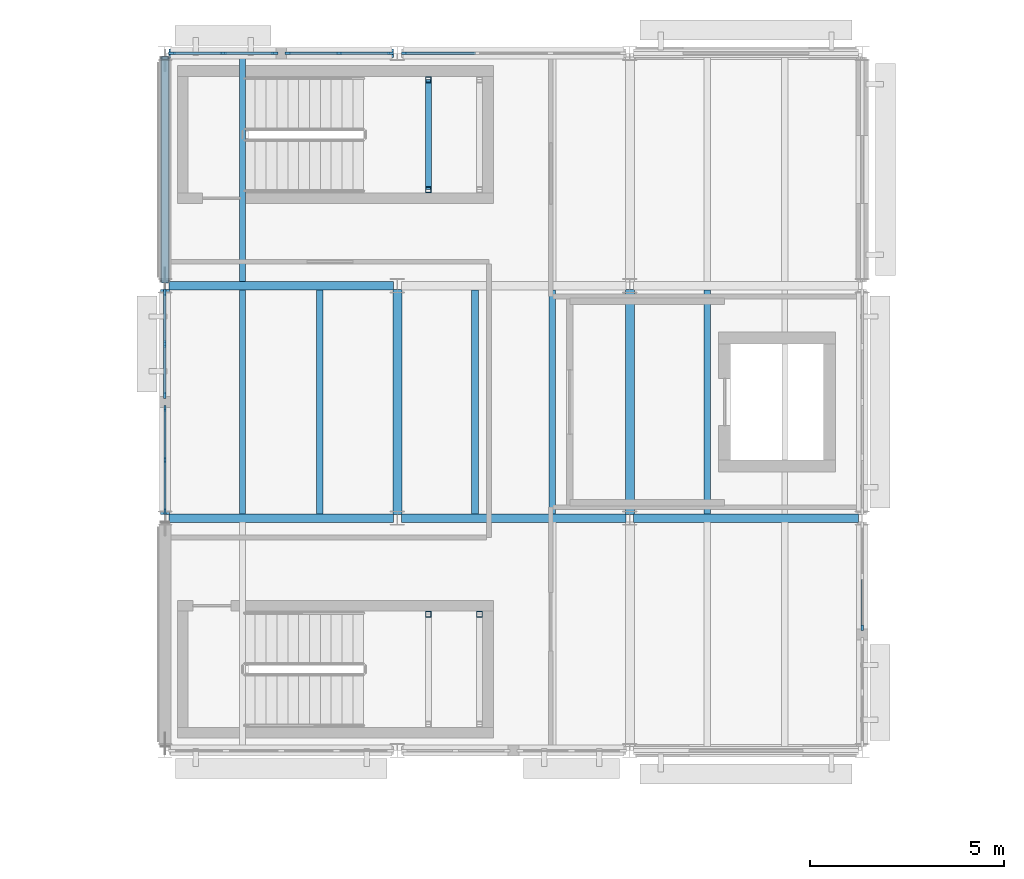
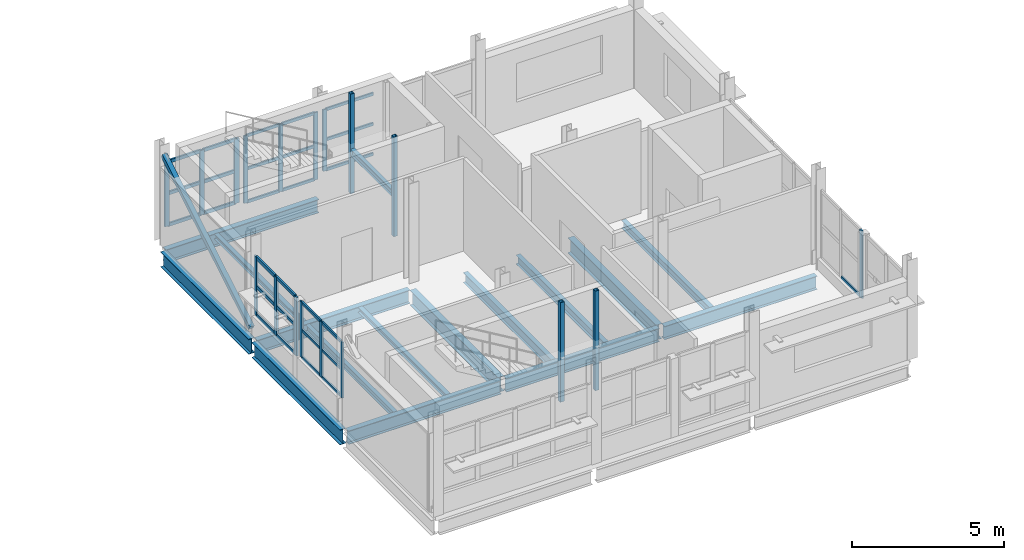
# One storey, part 31 of 92: 47 members, 16 beams, 6 elements without a shape of their own.
"""IFC4 building model written with IfcOpenShell, lengths in metres."""

from ifc_helpers import new_model, si_unit, direction, frame, origin, origin_2d, place, context, subcontext, project, spatial, rectangle, hollow_rectangle, i_section, extrude, material, material_profile, profile_set, type_object, element, aggregate, save


model = new_model("IFC4")

# Units and contexts
model_context = context("Model", 3, precision=1e-05, world=origin(), true_north=direction((0.0, 1.0)))
body_context = subcontext(model_context, "Body", "Model", "MODEL_VIEW")
ifc_project = project(units=[si_unit("LENGTHUNIT", "METRE"), si_unit("AREAUNIT", "SQUARE_METRE"), si_unit("VOLUMEUNIT", "CUBIC_METRE"), si_unit("PLANEANGLEUNIT", "RADIAN"), si_unit("MASSUNIT", "GRAM", prefix="KILO")], contexts=[model_context])

# Site, building, storey
site_placement = place(None, origin())
site = spatial("IfcSite", under=ifc_project, at=site_placement, CompositionType="ELEMENT")
building_placement = place(site_placement, origin())
building = spatial("IfcBuilding", under=site, at=building_placement, Name="Siltcreek Boulevard Central Fire Station", CompositionType="ELEMENT")
storey_placement = place(building_placement, frame((0.0, 0.0, 6.0)))
storey = spatial("IfcBuildingStorey", under=building, at=storey_placement, Name="L02", CompositionType="ELEMENT", Elevation=6.0)

# Beams
ifc_material_1 = material(Name="Structural steel ASTM A992 Gr50", Category="steel")
ifc_material_profile_1 = material_profile(ifc_material_1, i_section(OverallWidth=0.2109375, OverallDepth=0.5390625, WebThickness=0.01171875, FlangeThickness=0.018798828125, at=origin_2d()), Name="W530X109")
ifc_profile_set_1 = profile_set([ifc_material_profile_1], Name="Structural steel ASTM A992 Gr50")
beam_type_1 = type_object("IfcBeamType", Name="BM_W530X109", PredefinedType="BEAM", material=ifc_profile_set_1)
for number, where, z_axis, x_axis, name in (
    (1, (42.10009765625, 100.199951171875, -0.589599609375), (1.0, 0.0, 0.0), (0.0, 1.0, 0.0), "L02 primary steel girder GX-0119"),
    (2, (48.10009765625, 100.199951171875, -0.589599609375), (1.0, 0.0, 0.0), (0.0, 1.0, 0.0), "L02 primary steel girder GX-0120"),
    (3, (54.10009765625, 100.199951171875, -0.589599609375), (1.0, 0.0, 0.0), (0.0, 1.0, 0.0), "L02 primary steel girder GX-0121"),
    (4, (42.10009765625, 106.199951171875, -0.589599609375), (1.0, 0.0, 0.0), (0.0, 1.0, 0.0), "L02 primary steel girder GX-0122"),
    (5, (42.10009765625, 112.199951171875, -0.589599609375), (1.0, 0.0, 0.0), (0.0, 1.0, 0.0), "L02 primary steel girder GX-0125"),
):
    element("IfcBeam", number, at=place(storey_placement, frame(where, z_axis=z_axis, x_axis=x_axis)), inside=storey, type_object=beam_type_1, Name=name, PredefinedType="BEAM", context=body_context, shape_type="SweptSolid", body=[
        extrude(i_section(OverallWidth=0.2109375, OverallDepth=0.5390625, WebThickness=0.01171875, FlangeThickness=0.018798828125, at=origin_2d()), origin(), (0.0, 0.0, 1.0), 5.7998046875),
    ])
ifc_material_profile_2 = material_profile(ifc_material_1, i_section(OverallWidth=0.22802734375, OverallDepth=0.60791015625, WebThickness=0.01123046875, FlangeThickness=0.017333984375, at=origin_2d()), Name="W610X113")
ifc_profile_set_2 = profile_set([ifc_material_profile_2], Name="Structural steel ASTM A992 Gr50")
beam_type_2 = type_object("IfcBeamType", Name="BM_W610X113", PredefinedType="BEAM", material=ifc_profile_set_2)
for number, where, z_axis, x_axis, name in (
    (6, (42.0, 100.300048828125, -0.6240234375), (0.0, 1.0, 0.0), (-1.0, 0.0, 0.0), "L02 primary steel girder GY-0129"),
    (7, (42.0, 106.300048828125, -0.6240234375), (0.0, 1.0, 0.0), (-1.0, 0.0, 0.0), "L02 primary steel girder GY-0130"),
    (8, (48.0, 100.300048828125, -0.6240234375), (0.0, 1.0, 0.0), (-1.0, 0.0, 0.0), "L02 primary steel girder GY-0131"),
    (9, (54.0, 100.300048828125, -0.6240234375), (0.0, 1.0, 0.0), (-1.0, 0.0, 0.0), "L02 primary steel girder GY-0133"),
):
    element("IfcBeam", number, at=place(storey_placement, frame(where, z_axis=z_axis, x_axis=x_axis)), inside=storey, type_object=beam_type_2, Name=name, PredefinedType="BEAM", context=body_context, shape_type="SweptSolid", body=[
        extrude(i_section(OverallWidth=0.22802734375, OverallDepth=0.60791015625, WebThickness=0.01123046875, FlangeThickness=0.017333984375, at=origin_2d()), origin(), (0.0, 0.0, 1.0), 5.800048828125),
    ])

# Members
ifc_material_2 = material(Name="Structural steel ASTM A500 GrC", Category="steel")
ifc_material_profile_3 = material_profile(ifc_material_2, hollow_rectangle(XDim=0.14990234375, YDim=0.14990234375, WallThickness=0.008056640625, at=origin_2d()), Name="HSS150X150X8.0")
ifc_profile_set_3 = profile_set([ifc_material_profile_3], Name="Structural steel ASTM A500 GrC")
member_type_1 = type_object("IfcMemberType", Name="BR_HSS150_8", PredefinedType="BRACE", material=ifc_profile_set_3)
for number, where, z_axis, x_axis, name in (
    (10, (48.800048828125, 97.719970703125, 0.0), (0.0, 0.0, 1.0), (1.0, 0.0, 0.0), "L02 ST-V3A stair landing corner post NW"),
    (11, (50.1201171875, 97.719970703125, 0.0), (0.0, 0.0, 1.0), (1.0, 0.0, 0.0), "L02 ST-V3A stair landing corner post NE"),
    (12, (48.800048828125, 108.679931640625, 0.0), (0.0, 0.0, 1.0), (1.0, 0.0, 0.0), "L02 ST-V3B stair landing corner post SW"),
    (13, (48.800048828125, 111.52001953125, 0.0), (0.0, 0.0, 1.0), (1.0, 0.0, 0.0), "L02 ST-V3B stair landing corner post NW"),
):
    element("IfcMember", number, at=place(storey_placement, frame(where, z_axis=z_axis, x_axis=x_axis)), inside=storey, type_object=member_type_1, Name=name, PredefinedType="BRACE", context=body_context, shape_type="SweptSolid", body=[
        extrude(hollow_rectangle(XDim=0.14990234375, YDim=0.14990234375, WallThickness=0.008056640625, at=origin_2d()), origin(), (0.0, 0.0, 1.0), 4.0),
    ])
ifc_material_profile_4 = material_profile(ifc_material_2, hollow_rectangle(XDim=0.179931640625, YDim=0.179931640625, WallThickness=0.008056640625, at=origin_2d()), Name="HSS180X180X8.0")
ifc_profile_set_4 = profile_set([ifc_material_profile_4], Name="Structural steel ASTM A500 GrC")
member_type_2 = type_object("IfcMemberType", Name="BR_HSS180", PredefinedType="BRACE", material=ifc_profile_set_4)
member_1_placement = place(storey_placement, frame((42.0, 106.320068359375, 0.10009765625), z_axis=(0.0, 0.857890513261, 0.513832528415), x_axis=(-1.0, 0.0, 0.0)))
element("IfcMember", 14, at=member_1_placement, inside=storey, type_object=member_type_2, Name="L02 SCBF concentrically braced frame BR-020", PredefinedType="BRACE", context=body_context, shape_type="SweptSolid", body=[
    extrude(hollow_rectangle(XDim=0.179931640625, YDim=0.179931640625, WallThickness=0.008056640625, at=origin_2d()), origin(), (0.0, 0.0, 1.0), 6.714111328125),
])

# Curtain wall, members
ifc_material_3 = material(Name="Anodized aluminum and low-E insulated glazing", Category="aluminium")
curtain_wall_type_1 = type_object("IfcCurtainWallType", Name="CW_SYS_08", PredefinedType="USERDEFINED", material=ifc_material_3)
curtain_wall_1_placement = place(storey_placement, origin())
curtain_wall_1 = element("IfcCurtainWall", 15, at=curtain_wall_1_placement, inside=storey, type_object=curtain_wall_type_1, Name="L02 V3 unitised curtain wall CW-037", ObjectType="CURTAIN WALL", PredefinedType="USERDEFINED")
ifc_material_4 = material(Name="Anodized 6063-T6 aluminum framing", Category="aluminium")
ifc_material_profile_5 = material_profile(ifc_material_4, rectangle(XDim=0.06005859375, YDim=0.14990234375, at=origin_2d()), Name="MULL60X150")
ifc_profile_set_5 = profile_set([ifc_material_profile_5], Name="Anodized 6063-T6 aluminum framing")
member_type_3 = type_object("IfcMemberType", Name="CWM_60X150", PredefinedType="MULLION", material=ifc_profile_set_5)
member_2_placement = place(storey_placement, frame((47.824951171875, 112.199951171875, 0.43994140625), z_axis=(0.0, 0.0, 1.0), x_axis=(0.0, -1.0, 0.0)))
member_2 = element("IfcMember", 16, at=member_2_placement, type_object=member_type_3, Name="CW-037 mullion 1", PredefinedType="MULLION", context=body_context, shape_type="SweptSolid", body=[
    extrude(rectangle(XDim=0.06005859375, YDim=0.14990234375, at=origin_2d()), origin(), (0.0, 0.0, 1.0), 2.713134765625),
])
member_3_placement = place(storey_placement, frame((46.49755859375, 112.199951171875, 0.43994140625), z_axis=(0.0, 0.0, 1.0), x_axis=(0.0, -1.0, 0.0)))
member_3 = element("IfcMember", 17, at=member_3_placement, type_object=member_type_3, Name="CW-037 mullion 2", PredefinedType="MULLION", context=body_context, shape_type="SweptSolid", body=[
    extrude(rectangle(XDim=0.06005859375, YDim=0.14990234375, at=origin_2d()), origin(), (0.0, 0.0, 1.0), 2.713134765625),
])
member_4_placement = place(storey_placement, frame((45.169921875, 112.199951171875, 0.43994140625), z_axis=(0.0, 0.0, 1.0), x_axis=(0.0, -1.0, 0.0)))
member_4 = element("IfcMember", 18, at=member_4_placement, type_object=member_type_3, Name="CW-037 mullion 3", PredefinedType="MULLION", context=body_context, shape_type="SweptSolid", body=[
    extrude(rectangle(XDim=0.06005859375, YDim=0.14990234375, at=origin_2d()), origin(), (0.0, 0.0, 1.0), 2.713134765625),
])

# Curtain wall, member
curtain_wall_type_2 = type_object("IfcCurtainWallType", Name="CW_SYS_10", PredefinedType="USERDEFINED", material=ifc_material_3)
curtain_wall_2_placement = place(storey_placement, origin())
curtain_wall_2 = element("IfcCurtainWall", 19, at=curtain_wall_2_placement, inside=storey, type_object=curtain_wall_type_2, Name="L02 V3 unitised curtain wall CW-039", ObjectType="CURTAIN WALL", PredefinedType="USERDEFINED")
member_5_placement = place(storey_placement, frame((48.175048828125, 112.199951171875, 0.679931640625), z_axis=(0.0, 0.0, 1.0), x_axis=(0.0, -1.0, 0.0)))
member_5 = element("IfcMember", 20, at=member_5_placement, type_object=member_type_3, Name="CW-039 mullion 4", PredefinedType="MULLION", context=body_context, shape_type="SweptSolid", body=[
    extrude(rectangle(XDim=0.06005859375, YDim=0.14990234375, at=origin_2d()), origin(), (0.0, 0.0, 1.0), 2.47314453125),
])

# Curtain wall, members
curtain_wall_type_3 = type_object("IfcCurtainWallType", Name="CW_SYS_12", PredefinedType="USERDEFINED", material=ifc_material_3)
curtain_wall_3_placement = place(storey_placement, origin())
curtain_wall_3 = element("IfcCurtainWall", 21, at=curtain_wall_3_placement, inside=storey, type_object=curtain_wall_type_3, Name="L02 V3 unitised curtain wall CW-041", ObjectType="CURTAIN WALL", PredefinedType="USERDEFINED")
member_6_placement = place(storey_placement, frame((42.0, 103.030029296875, 0.919921875), z_axis=(0.0, 0.0, 1.0), x_axis=(1.0, 0.0, 0.0)))
member_6 = element("IfcMember", 22, at=member_6_placement, type_object=member_type_3, Name="CW-041 mullion 1", PredefinedType="MULLION", context=body_context, shape_type="SweptSolid", body=[
    extrude(rectangle(XDim=0.06005859375, YDim=0.14990234375, at=origin_2d()), origin(), (0.0, 0.0, 1.0), 2.237060546875),
])
member_7_placement = place(storey_placement, frame((42.0, 101.702392578125, 0.919921875), z_axis=(0.0, 0.0, 1.0), x_axis=(1.0, 0.0, 0.0)))
member_7 = element("IfcMember", 23, at=member_7_placement, type_object=member_type_3, Name="CW-041 mullion 2", PredefinedType="MULLION", context=body_context, shape_type="SweptSolid", body=[
    extrude(rectangle(XDim=0.06005859375, YDim=0.14990234375, at=origin_2d()), origin(), (0.0, 0.0, 1.0), 2.237060546875),
])
member_8_placement = place(storey_placement, frame((42.0, 100.375, 0.919921875), z_axis=(0.0, 0.0, 1.0), x_axis=(1.0, 0.0, 0.0)))
member_8 = element("IfcMember", 24, at=member_8_placement, type_object=member_type_3, Name="CW-041 mullion 3", PredefinedType="MULLION", context=body_context, shape_type="SweptSolid", body=[
    extrude(rectangle(XDim=0.06005859375, YDim=0.14990234375, at=origin_2d()), origin(), (0.0, 0.0, 1.0), 2.237060546875),
])

# Curtain wall, member
curtain_wall_type_4 = type_object("IfcCurtainWallType", Name="CW_SYS_14", PredefinedType="USERDEFINED", material=ifc_material_3)
curtain_wall_4_placement = place(storey_placement, origin())
curtain_wall_4 = element("IfcCurtainWall", 25, at=curtain_wall_4_placement, inside=storey, type_object=curtain_wall_type_4, Name="L02 V3 unitised curtain wall CW-043", ObjectType="CURTAIN WALL", PredefinedType="USERDEFINED")
member_9_placement = place(storey_placement, frame((60.0, 97.3701171875, 0.43994140625), z_axis=(0.0, 0.0, 1.0), x_axis=(-1.0, 0.0, 0.0)))
member_9 = element("IfcMember", 26, at=member_9_placement, type_object=member_type_3, Name="CW-043 mullion 1", PredefinedType="MULLION", context=body_context, shape_type="SweptSolid", body=[
    extrude(rectangle(XDim=0.06005859375, YDim=0.14990234375, at=origin_2d()), origin(), (0.0, 0.0, 1.0), 2.717041015625),
])

# Curtain wall, members
curtain_wall_type_5 = type_object("IfcCurtainWallType", Name="CW_SYS_09", PredefinedType="USERDEFINED", material=ifc_material_3)
curtain_wall_5_placement = place(storey_placement, origin())
curtain_wall_5 = element("IfcCurtainWall", 27, at=curtain_wall_5_placement, inside=storey, type_object=curtain_wall_type_5, Name="L02 V3 unitised curtain wall CW-038", ObjectType="CURTAIN WALL", PredefinedType="USERDEFINED")
ifc_material_profile_6 = material_profile(ifc_material_4, rectangle(XDim=0.06494140625, YDim=0.175048828125, at=origin_2d()), Name="MULL65X175")
ifc_profile_set_6 = profile_set([ifc_material_profile_6], Name="Anodized 6063-T6 aluminum framing")
member_type_4 = type_object("IfcMemberType", Name="CWM_65X175", PredefinedType="MULLION", material=ifc_profile_set_6)
member_10_placement = place(storey_placement, frame((44.827392578125, 112.199951171875, 0.56005859375), z_axis=(0.0, 0.0, 1.0), x_axis=(0.0, -1.0, 0.0)))
member_10 = element("IfcMember", 28, at=member_10_placement, type_object=member_type_4, Name="CW-038 mullion 1", PredefinedType="MULLION", context=body_context, shape_type="SweptSolid", body=[
    extrude(rectangle(XDim=0.06494140625, YDim=0.175048828125, at=origin_2d()), origin(), (0.0, 0.0, 1.0), 2.593017578125),
])
member_11_placement = place(storey_placement, frame((43.50244140625, 112.199951171875, 0.56005859375), z_axis=(0.0, 0.0, 1.0), x_axis=(0.0, -1.0, 0.0)))
member_11 = element("IfcMember", 29, at=member_11_placement, type_object=member_type_4, Name="CW-038 mullion 2", PredefinedType="MULLION", context=body_context, shape_type="SweptSolid", body=[
    extrude(rectangle(XDim=0.06494140625, YDim=0.175048828125, at=origin_2d()), origin(), (0.0, 0.0, 1.0), 2.593017578125),
])
member_12_placement = place(storey_placement, frame((42.177490234375, 112.199951171875, 0.56005859375), z_axis=(0.0, 0.0, 1.0), x_axis=(0.0, -1.0, 0.0)))
member_12 = element("IfcMember", 30, at=member_12_placement, type_object=member_type_4, Name="CW-038 mullion 3", PredefinedType="MULLION", context=body_context, shape_type="SweptSolid", body=[
    extrude(rectangle(XDim=0.06494140625, YDim=0.175048828125, at=origin_2d()), origin(), (0.0, 0.0, 1.0), 2.593017578125),
])

curtain_wall_type_6 = type_object("IfcCurtainWallType", Name="CW_SYS_11", PredefinedType="USERDEFINED", material=ifc_material_3)
curtain_wall_6_placement = place(storey_placement, origin())
curtain_wall_6 = element("IfcCurtainWall", 31, at=curtain_wall_6_placement, inside=storey, type_object=curtain_wall_type_6, Name="L02 V3 unitised curtain wall CW-040", ObjectType="CURTAIN WALL", PredefinedType="USERDEFINED")
member_13_placement = place(storey_placement, frame((42.0, 106.0224609375, 0.800048828125), z_axis=(0.0, 0.0, 1.0), x_axis=(1.0, 0.0, 0.0)))
member_13 = element("IfcMember", 32, at=member_13_placement, type_object=member_type_4, Name="CW-040 mullion 1", PredefinedType="MULLION", context=body_context, shape_type="SweptSolid", body=[
    extrude(rectangle(XDim=0.06494140625, YDim=0.175048828125, at=origin_2d()), origin(), (0.0, 0.0, 1.0), 2.35693359375),
])
member_14_placement = place(storey_placement, frame((42.0, 104.697509765625, 0.800048828125), z_axis=(0.0, 0.0, 1.0), x_axis=(1.0, 0.0, 0.0)))
member_14 = element("IfcMember", 33, at=member_14_placement, type_object=member_type_4, Name="CW-040 mullion 2", PredefinedType="MULLION", context=body_context, shape_type="SweptSolid", body=[
    extrude(rectangle(XDim=0.06494140625, YDim=0.175048828125, at=origin_2d()), origin(), (0.0, 0.0, 1.0), 2.35693359375),
])
member_15_placement = place(storey_placement, frame((42.0, 103.37255859375, 0.800048828125), z_axis=(0.0, 0.0, 1.0), x_axis=(1.0, 0.0, 0.0)))
member_15 = element("IfcMember", 34, at=member_15_placement, type_object=member_type_4, Name="CW-040 mullion 3", PredefinedType="MULLION", context=body_context, shape_type="SweptSolid", body=[
    extrude(rectangle(XDim=0.06494140625, YDim=0.175048828125, at=origin_2d()), origin(), (0.0, 0.0, 1.0), 2.35693359375),
])

# Member
ifc_material_profile_7 = material_profile(ifc_material_4, rectangle(XDim=0.06005859375, YDim=0.114990234375, at=origin_2d()), Name="TRAN60X115")
ifc_profile_set_7 = profile_set([ifc_material_profile_7], Name="Anodized 6063-T6 aluminum framing")
member_type_5 = type_object("IfcMemberType", Name="CWT_60X115", PredefinedType="USERDEFINED", material=ifc_profile_set_7)
member_16_placement = place(storey_placement, frame((47.794921875, 112.199951171875, 0.469970703125), z_axis=(-1.0, 0.0, 0.0), x_axis=(0.0, -1.0, 0.0)))
member_16 = element("IfcMember", 35, at=member_16_placement, type_object=member_type_5, Name="CW-037 transom 1.1", ObjectType="TRANSOM", PredefinedType="USERDEFINED", context=body_context, shape_type="SweptSolid", body=[
    extrude(rectangle(XDim=0.06005859375, YDim=0.114990234375, at=origin_2d()), origin(), (0.0, 0.0, 1.0), 1.267333984375),
])

member_17_placement = place(storey_placement, frame((47.794921875, 112.199951171875, 1.79638671875), z_axis=(-1.0, 0.0, 0.0), x_axis=(0.0, -1.0, 0.0)))
member_17 = element("IfcMember", 36, at=member_17_placement, type_object=member_type_5, Name="CW-037 transom 1.2", ObjectType="TRANSOM", PredefinedType="USERDEFINED", context=body_context, shape_type="SweptSolid", body=[
    extrude(rectangle(XDim=0.06005859375, YDim=0.114990234375, at=origin_2d()), origin(), (0.0, 0.0, 1.0), 1.267333984375),
])

member_18_placement = place(storey_placement, frame((47.794921875, 112.199951171875, 3.123046875), z_axis=(-1.0, 0.0, 0.0), x_axis=(0.0, -1.0, 0.0)))
member_18 = element("IfcMember", 37, at=member_18_placement, type_object=member_type_5, Name="CW-037 transom 1.3", ObjectType="TRANSOM", PredefinedType="USERDEFINED", context=body_context, shape_type="SweptSolid", body=[
    extrude(rectangle(XDim=0.06005859375, YDim=0.114990234375, at=origin_2d()), origin(), (0.0, 0.0, 1.0), 1.267333984375),
])

member_19_placement = place(storey_placement, frame((46.467529296875, 112.199951171875, 0.469970703125), z_axis=(-1.0, 0.0, 0.0), x_axis=(0.0, -1.0, 0.0)))
member_19 = element("IfcMember", 38, at=member_19_placement, type_object=member_type_5, Name="CW-037 transom 2.1", ObjectType="TRANSOM", PredefinedType="USERDEFINED", context=body_context, shape_type="SweptSolid", body=[
    extrude(rectangle(XDim=0.06005859375, YDim=0.114990234375, at=origin_2d()), origin(), (0.0, 0.0, 1.0), 1.267578125),
])

member_20_placement = place(storey_placement, frame((46.467529296875, 112.199951171875, 1.79638671875), z_axis=(-1.0, 0.0, 0.0), x_axis=(0.0, -1.0, 0.0)))
member_20 = element("IfcMember", 39, at=member_20_placement, type_object=member_type_5, Name="CW-037 transom 2.2", ObjectType="TRANSOM", PredefinedType="USERDEFINED", context=body_context, shape_type="SweptSolid", body=[
    extrude(rectangle(XDim=0.06005859375, YDim=0.114990234375, at=origin_2d()), origin(), (0.0, 0.0, 1.0), 1.267578125),
])

member_21_placement = place(storey_placement, frame((46.467529296875, 112.199951171875, 3.123046875), z_axis=(-1.0, 0.0, 0.0), x_axis=(0.0, -1.0, 0.0)))
member_21 = element("IfcMember", 40, at=member_21_placement, type_object=member_type_5, Name="CW-037 transom 2.3", ObjectType="TRANSOM", PredefinedType="USERDEFINED", context=body_context, shape_type="SweptSolid", body=[
    extrude(rectangle(XDim=0.06005859375, YDim=0.114990234375, at=origin_2d()), origin(), (0.0, 0.0, 1.0), 1.267578125),
])

aggregate(curtain_wall_1, [member_2, member_3, member_4, member_16, member_17, member_18, member_19, member_20, member_21])

member_22_placement = place(storey_placement, frame((50.018310546875, 112.199951171875, 0.7099609375), z_axis=(-1.0, 0.0, 0.0), x_axis=(0.0, -1.0, 0.0)))
member_22 = element("IfcMember", 41, at=member_22_placement, type_object=member_type_5, Name="CW-039 transom 3.1", ObjectType="TRANSOM", PredefinedType="USERDEFINED", context=body_context, shape_type="SweptSolid", body=[
    extrude(rectangle(XDim=0.06005859375, YDim=0.114990234375, at=origin_2d()), origin(), (0.0, 0.0, 1.0), 1.813232421875),
])

member_23_placement = place(storey_placement, frame((50.018310546875, 112.199951171875, 1.91650390625), z_axis=(-1.0, 0.0, 0.0), x_axis=(0.0, -1.0, 0.0)))
member_23 = element("IfcMember", 42, at=member_23_placement, type_object=member_type_5, Name="CW-039 transom 3.2", ObjectType="TRANSOM", PredefinedType="USERDEFINED", context=body_context, shape_type="SweptSolid", body=[
    extrude(rectangle(XDim=0.06005859375, YDim=0.114990234375, at=origin_2d()), origin(), (0.0, 0.0, 1.0), 1.813232421875),
])

member_24_placement = place(storey_placement, frame((50.018310546875, 112.199951171875, 3.123046875), z_axis=(-1.0, 0.0, 0.0), x_axis=(0.0, -1.0, 0.0)))
member_24 = element("IfcMember", 43, at=member_24_placement, type_object=member_type_5, Name="CW-039 transom 3.3", ObjectType="TRANSOM", PredefinedType="USERDEFINED", context=body_context, shape_type="SweptSolid", body=[
    extrude(rectangle(XDim=0.06005859375, YDim=0.114990234375, at=origin_2d()), origin(), (0.0, 0.0, 1.0), 1.813232421875),
])

aggregate(curtain_wall_2, [member_5, member_22, member_23, member_24])

member_25_placement = place(storey_placement, frame((42.0, 103.0, 0.949951171875), z_axis=(0.0, -1.0, 0.0), x_axis=(1.0, 0.0, 0.0)))
member_25 = element("IfcMember", 44, at=member_25_placement, type_object=member_type_5, Name="CW-041 transom 1.1", ObjectType="TRANSOM", PredefinedType="USERDEFINED", context=body_context, shape_type="SweptSolid", body=[
    extrude(rectangle(XDim=0.06005859375, YDim=0.114990234375, at=origin_2d()), origin(), (0.0, 0.0, 1.0), 1.267578125),
])

member_26_placement = place(storey_placement, frame((42.0, 103.0, 2.03857421875), z_axis=(0.0, -1.0, 0.0), x_axis=(1.0, 0.0, 0.0)))
member_26 = element("IfcMember", 45, at=member_26_placement, type_object=member_type_5, Name="CW-041 transom 1.2", ObjectType="TRANSOM", PredefinedType="USERDEFINED", context=body_context, shape_type="SweptSolid", body=[
    extrude(rectangle(XDim=0.06005859375, YDim=0.114990234375, at=origin_2d()), origin(), (0.0, 0.0, 1.0), 1.267578125),
])

member_27_placement = place(storey_placement, frame((42.0, 103.0, 3.126953125), z_axis=(0.0, -1.0, 0.0), x_axis=(1.0, 0.0, 0.0)))
member_27 = element("IfcMember", 46, at=member_27_placement, type_object=member_type_5, Name="CW-041 transom 1.3", ObjectType="TRANSOM", PredefinedType="USERDEFINED", context=body_context, shape_type="SweptSolid", body=[
    extrude(rectangle(XDim=0.06005859375, YDim=0.114990234375, at=origin_2d()), origin(), (0.0, 0.0, 1.0), 1.267578125),
])

member_28_placement = place(storey_placement, frame((42.0, 101.672607421875, 0.949951171875), z_axis=(0.0, -1.0, 0.0), x_axis=(1.0, 0.0, 0.0)))
member_28 = element("IfcMember", 47, at=member_28_placement, type_object=member_type_5, Name="CW-041 transom 2.1", ObjectType="TRANSOM", PredefinedType="USERDEFINED", context=body_context, shape_type="SweptSolid", body=[
    extrude(rectangle(XDim=0.06005859375, YDim=0.114990234375, at=origin_2d()), origin(), (0.0, 0.0, 1.0), 1.267578125),
])

member_29_placement = place(storey_placement, frame((42.0, 101.672607421875, 2.03857421875), z_axis=(0.0, -1.0, 0.0), x_axis=(1.0, 0.0, 0.0)))
member_29 = element("IfcMember", 48, at=member_29_placement, type_object=member_type_5, Name="CW-041 transom 2.2", ObjectType="TRANSOM", PredefinedType="USERDEFINED", context=body_context, shape_type="SweptSolid", body=[
    extrude(rectangle(XDim=0.06005859375, YDim=0.114990234375, at=origin_2d()), origin(), (0.0, 0.0, 1.0), 1.267578125),
])

member_30_placement = place(storey_placement, frame((42.0, 101.672607421875, 3.126953125), z_axis=(0.0, -1.0, 0.0), x_axis=(1.0, 0.0, 0.0)))
member_30 = element("IfcMember", 49, at=member_30_placement, type_object=member_type_5, Name="CW-041 transom 2.3", ObjectType="TRANSOM", PredefinedType="USERDEFINED", context=body_context, shape_type="SweptSolid", body=[
    extrude(rectangle(XDim=0.06005859375, YDim=0.114990234375, at=origin_2d()), origin(), (0.0, 0.0, 1.0), 1.267578125),
])

aggregate(curtain_wall_3, [member_6, member_7, member_8, member_25, member_26, member_27, member_28, member_29, member_30])

member_31_placement = place(storey_placement, frame((60.0, 97.39990234375, 0.469970703125), z_axis=(0.0, 1.0, 0.0), x_axis=(-1.0, 0.0, 0.0)))
member_31 = element("IfcMember", 50, at=member_31_placement, type_object=member_type_5, Name="CW-043 transom 1.1", ObjectType="TRANSOM", PredefinedType="USERDEFINED", context=body_context, shape_type="SweptSolid", body=[
    extrude(rectangle(XDim=0.06005859375, YDim=0.114990234375, at=origin_2d()), origin(), (0.0, 0.0, 1.0), 1.267578125),
])

aggregate(curtain_wall_4, [member_9, member_31])

ifc_material_profile_8 = material_profile(ifc_material_4, rectangle(XDim=0.06494140625, YDim=0.135009765625, at=origin_2d()), Name="TRAN65X135")
ifc_profile_set_8 = profile_set([ifc_material_profile_8], Name="Anodized 6063-T6 aluminum framing")
member_type_6 = type_object("IfcMemberType", Name="CWT_65X135", PredefinedType="USERDEFINED", material=ifc_profile_set_8)
member_32_placement = place(storey_placement, frame((44.794921875, 112.199951171875, 0.592529296875), z_axis=(-1.0, 0.0, 0.0), x_axis=(0.0, -1.0, 0.0)))
member_32 = element("IfcMember", 51, at=member_32_placement, type_object=member_type_6, Name="CW-038 transom 1.1", ObjectType="TRANSOM", PredefinedType="USERDEFINED", context=body_context, shape_type="SweptSolid", body=[
    extrude(rectangle(XDim=0.06494140625, YDim=0.135009765625, at=origin_2d()), origin(), (0.0, 0.0, 1.0), 1.260009765625),
])

member_33_placement = place(storey_placement, frame((44.794921875, 112.199951171875, 1.8564453125), z_axis=(-1.0, 0.0, 0.0), x_axis=(0.0, -1.0, 0.0)))
member_33 = element("IfcMember", 52, at=member_33_placement, type_object=member_type_6, Name="CW-038 transom 1.2", ObjectType="TRANSOM", PredefinedType="USERDEFINED", context=body_context, shape_type="SweptSolid", body=[
    extrude(rectangle(XDim=0.06494140625, YDim=0.135009765625, at=origin_2d()), origin(), (0.0, 0.0, 1.0), 1.260009765625),
])

member_34_placement = place(storey_placement, frame((44.794921875, 112.199951171875, 3.12060546875), z_axis=(-1.0, 0.0, 0.0), x_axis=(0.0, -1.0, 0.0)))
member_34 = element("IfcMember", 53, at=member_34_placement, type_object=member_type_6, Name="CW-038 transom 1.3", ObjectType="TRANSOM", PredefinedType="USERDEFINED", context=body_context, shape_type="SweptSolid", body=[
    extrude(rectangle(XDim=0.06494140625, YDim=0.135009765625, at=origin_2d()), origin(), (0.0, 0.0, 1.0), 1.260009765625),
])

member_35_placement = place(storey_placement, frame((43.469970703125, 112.199951171875, 0.592529296875), z_axis=(-1.0, 0.0, 0.0), x_axis=(0.0, -1.0, 0.0)))
member_35 = element("IfcMember", 54, at=member_35_placement, type_object=member_type_6, Name="CW-038 transom 2.1", ObjectType="TRANSOM", PredefinedType="USERDEFINED", context=body_context, shape_type="SweptSolid", body=[
    extrude(rectangle(XDim=0.06494140625, YDim=0.135009765625, at=origin_2d()), origin(), (0.0, 0.0, 1.0), 1.260009765625),
])

member_36_placement = place(storey_placement, frame((43.469970703125, 112.199951171875, 1.8564453125), z_axis=(-1.0, 0.0, 0.0), x_axis=(0.0, -1.0, 0.0)))
member_36 = element("IfcMember", 55, at=member_36_placement, type_object=member_type_6, Name="CW-038 transom 2.2", ObjectType="TRANSOM", PredefinedType="USERDEFINED", context=body_context, shape_type="SweptSolid", body=[
    extrude(rectangle(XDim=0.06494140625, YDim=0.135009765625, at=origin_2d()), origin(), (0.0, 0.0, 1.0), 1.260009765625),
])

member_37_placement = place(storey_placement, frame((43.469970703125, 112.199951171875, 3.12060546875), z_axis=(-1.0, 0.0, 0.0), x_axis=(0.0, -1.0, 0.0)))
member_37 = element("IfcMember", 56, at=member_37_placement, type_object=member_type_6, Name="CW-038 transom 2.3", ObjectType="TRANSOM", PredefinedType="USERDEFINED", context=body_context, shape_type="SweptSolid", body=[
    extrude(rectangle(XDim=0.06494140625, YDim=0.135009765625, at=origin_2d()), origin(), (0.0, 0.0, 1.0), 1.260009765625),
])

aggregate(curtain_wall_5, [member_10, member_11, member_12, member_32, member_33, member_34, member_35, member_36, member_37])

member_38_placement = place(storey_placement, frame((42.0, 105.989990234375, 0.83251953125), z_axis=(0.0, -1.0, 0.0), x_axis=(1.0, 0.0, 0.0)))
member_38 = element("IfcMember", 57, at=member_38_placement, type_object=member_type_6, Name="CW-040 transom 1.1", ObjectType="TRANSOM", PredefinedType="USERDEFINED", context=body_context, shape_type="SweptSolid", body=[
    extrude(rectangle(XDim=0.06494140625, YDim=0.135009765625, at=origin_2d()), origin(), (0.0, 0.0, 1.0), 1.260009765625),
])

member_39_placement = place(storey_placement, frame((42.0, 105.989990234375, 1.978515625), z_axis=(0.0, -1.0, 0.0), x_axis=(1.0, 0.0, 0.0)))
member_39 = element("IfcMember", 58, at=member_39_placement, type_object=member_type_6, Name="CW-040 transom 1.2", ObjectType="TRANSOM", PredefinedType="USERDEFINED", context=body_context, shape_type="SweptSolid", body=[
    extrude(rectangle(XDim=0.06494140625, YDim=0.135009765625, at=origin_2d()), origin(), (0.0, 0.0, 1.0), 1.260009765625),
])

member_40_placement = place(storey_placement, frame((42.0, 105.989990234375, 3.12451171875), z_axis=(0.0, -1.0, 0.0), x_axis=(1.0, 0.0, 0.0)))
member_40 = element("IfcMember", 59, at=member_40_placement, type_object=member_type_6, Name="CW-040 transom 1.3", ObjectType="TRANSOM", PredefinedType="USERDEFINED", context=body_context, shape_type="SweptSolid", body=[
    extrude(rectangle(XDim=0.06494140625, YDim=0.135009765625, at=origin_2d()), origin(), (0.0, 0.0, 1.0), 1.260009765625),
])

member_41_placement = place(storey_placement, frame((42.0, 104.6650390625, 0.83251953125), z_axis=(0.0, -1.0, 0.0), x_axis=(1.0, 0.0, 0.0)))
member_41 = element("IfcMember", 60, at=member_41_placement, type_object=member_type_6, Name="CW-040 transom 2.1", ObjectType="TRANSOM", PredefinedType="USERDEFINED", context=body_context, shape_type="SweptSolid", body=[
    extrude(rectangle(XDim=0.06494140625, YDim=0.135009765625, at=origin_2d()), origin(), (0.0, 0.0, 1.0), 1.260009765625),
])

member_42_placement = place(storey_placement, frame((42.0, 104.6650390625, 1.978515625), z_axis=(0.0, -1.0, 0.0), x_axis=(1.0, 0.0, 0.0)))
member_42 = element("IfcMember", 61, at=member_42_placement, type_object=member_type_6, Name="CW-040 transom 2.2", ObjectType="TRANSOM", PredefinedType="USERDEFINED", context=body_context, shape_type="SweptSolid", body=[
    extrude(rectangle(XDim=0.06494140625, YDim=0.135009765625, at=origin_2d()), origin(), (0.0, 0.0, 1.0), 1.260009765625),
])

member_43_placement = place(storey_placement, frame((42.0, 104.6650390625, 3.12451171875), z_axis=(0.0, -1.0, 0.0), x_axis=(1.0, 0.0, 0.0)))
member_43 = element("IfcMember", 62, at=member_43_placement, type_object=member_type_6, Name="CW-040 transom 2.3", ObjectType="TRANSOM", PredefinedType="USERDEFINED", context=body_context, shape_type="SweptSolid", body=[
    extrude(rectangle(XDim=0.06494140625, YDim=0.135009765625, at=origin_2d()), origin(), (0.0, 0.0, 1.0), 1.260009765625),
])

aggregate(curtain_wall_6, [member_13, member_14, member_15, member_38, member_39, member_40, member_41, member_42, member_43])

# Beams
ifc_material_profile_9 = material_profile(ifc_material_1, i_section(OverallWidth=0.1650390625, OverallDepth=0.200927734375, WebThickness=0.006103515625, FlangeThickness=0.01025390625, at=origin_2d()), Name="W200X36")
ifc_profile_set_9 = profile_set([ifc_material_profile_9], Name="Structural steel ASTM A992 Gr50")
beam_type_3 = type_object("IfcBeamType", Name="JST_W200X36", PredefinedType="JOIST", material=ifc_profile_set_9)
for number, where, z_axis, x_axis, name in (
    (63, (46.0, 100.303466796875, -0.42041015625), (0.0, 1.0, 0.0), (-1.0, 0.0, 0.0), "L02 secondary steel floor joist 0112"),
    (64, (44.0, 106.303466796875, -0.42041015625), (0.0, 1.0, 0.0), (-1.0, 0.0, 0.0), "L02 secondary steel floor joist 0117"),
):
    element("IfcBeam", number, at=place(storey_placement, frame(where, z_axis=z_axis, x_axis=x_axis)), inside=storey, type_object=beam_type_3, Name=name, PredefinedType="JOIST", context=body_context, shape_type="SweptSolid", body=[
        extrude(i_section(OverallWidth=0.1650390625, OverallDepth=0.200927734375, WebThickness=0.006103515625, FlangeThickness=0.01025390625, at=origin_2d()), origin(), (0.0, 0.0, 1.0), 5.79296875),
    ])
ifc_material_profile_10 = material_profile(ifc_material_1, i_section(OverallWidth=0.14697265625, OverallDepth=0.261962890625, WebThickness=0.006591796875, FlangeThickness=0.01123046875, at=origin_2d()), Name="W250X39")
ifc_profile_set_10 = profile_set([ifc_material_profile_10], Name="Structural steel ASTM A992 Gr50")
beam_type_4 = type_object("IfcBeamType", Name="JST_W250X39", PredefinedType="JOIST", material=ifc_profile_set_10)
beam_1_placement = place(storey_placement, frame((44.0, 100.303466796875, -0.450927734375), z_axis=(0.0, 1.0, 0.0), x_axis=(-1.0, 0.0, 0.0)))
element("IfcBeam", 65, at=beam_1_placement, inside=storey, type_object=beam_type_4, Name="L02 secondary steel floor joist 0111", PredefinedType="JOIST", context=body_context, shape_type="SweptSolid", body=[
    extrude(i_section(OverallWidth=0.14697265625, OverallDepth=0.261962890625, WebThickness=0.006591796875, FlangeThickness=0.01123046875, at=origin_2d()), origin(), (0.0, 0.0, 1.0), 5.79296875),
])
beam_2_placement = place(storey_placement, frame((48.800048828125, 108.679931640625, 1.6689453125), z_axis=(0.0, 1.0, 0.0), x_axis=(-1.0, 0.0, 0.0)))
element("IfcBeam", 66, at=beam_2_placement, inside=storey, type_object=beam_type_4, Name="L02 ST-V3B stair landing bearer MIDW", PredefinedType="JOIST", context=body_context, shape_type="SweptSolid", body=[
    extrude(i_section(OverallWidth=0.14697265625, OverallDepth=0.261962890625, WebThickness=0.006591796875, FlangeThickness=0.01123046875, at=origin_2d()), origin(), (0.0, 0.0, 1.0), 2.840087890625),
])
ifc_material_profile_11 = material_profile(ifc_material_1, i_section(OverallWidth=0.166015625, OverallDepth=0.31298828125, WebThickness=0.006591796875, FlangeThickness=0.01123046875, at=origin_2d()), Name="W310X45")
ifc_profile_set_11 = profile_set([ifc_material_profile_11], Name="Structural steel ASTM A992 Gr50")
beam_type_5 = type_object("IfcBeamType", Name="JST_W310X45", PredefinedType="JOIST", material=ifc_profile_set_11)
beam_3_placement = place(storey_placement, frame((56.0, 100.303466796875, -0.4765625), z_axis=(0.0, 1.0, 0.0), x_axis=(-1.0, 0.0, 0.0)))
element("IfcBeam", 67, at=beam_3_placement, inside=storey, type_object=beam_type_5, Name="L02 secondary steel floor joist 0115", PredefinedType="JOIST", context=body_context, shape_type="SweptSolid", body=[
    extrude(i_section(OverallWidth=0.166015625, OverallDepth=0.31298828125, WebThickness=0.006591796875, FlangeThickness=0.01123046875, at=origin_2d()), origin(), (0.0, 0.0, 1.0), 5.79296875),
])
ifc_material_profile_12 = material_profile(ifc_material_1, i_section(OverallWidth=0.172119140625, OverallDepth=0.35791015625, WebThickness=0.0078125, FlangeThickness=0.01318359375, at=origin_2d()), Name="W360X57")
ifc_profile_set_12 = profile_set([ifc_material_profile_12], Name="Structural steel ASTM A992 Gr50")
beam_type_6 = type_object("IfcBeamType", Name="JST_W360X57", PredefinedType="JOIST", material=ifc_profile_set_12)
beam_4_placement = place(storey_placement, frame((52.0, 100.303466796875, -0.4990234375), z_axis=(0.0, 1.0, 0.0), x_axis=(-1.0, 0.0, 0.0)))
element("IfcBeam", 68, at=beam_4_placement, inside=storey, type_object=beam_type_6, Name="L02 secondary steel floor joist 0114", PredefinedType="JOIST", context=body_context, shape_type="SweptSolid", body=[
    extrude(i_section(OverallWidth=0.172119140625, OverallDepth=0.35791015625, WebThickness=0.0078125, FlangeThickness=0.01318359375, at=origin_2d()), origin(), (0.0, 0.0, 1.0), 5.79296875),
])
ifc_material_profile_13 = material_profile(ifc_material_1, i_section(OverallWidth=0.177001953125, OverallDepth=0.403076171875, WebThickness=0.007568359375, FlangeThickness=0.010986328125, at=origin_2d()), Name="W410X53")
ifc_profile_set_13 = profile_set([ifc_material_profile_13], Name="Structural steel ASTM A992 Gr50")
beam_type_7 = type_object("IfcBeamType", Name="JST_W410X53", PredefinedType="JOIST", material=ifc_profile_set_13)
beam_5_placement = place(storey_placement, frame((50.0, 100.303466796875, -0.521484375), z_axis=(0.0, 1.0, 0.0), x_axis=(-1.0, 0.0, 0.0)))
element("IfcBeam", 69, at=beam_5_placement, inside=storey, type_object=beam_type_7, Name="L02 secondary steel floor joist 0113", PredefinedType="JOIST", context=body_context, shape_type="SweptSolid", body=[
    extrude(i_section(OverallWidth=0.177001953125, OverallDepth=0.403076171875, WebThickness=0.007568359375, FlangeThickness=0.010986328125, at=origin_2d()), origin(), (0.0, 0.0, 1.0), 5.79296875),
])

save(model, "model.ifc")
